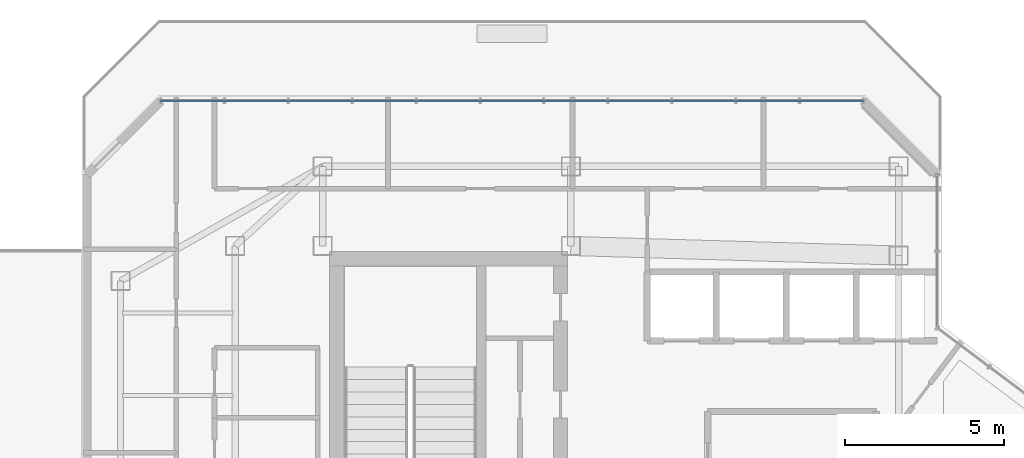
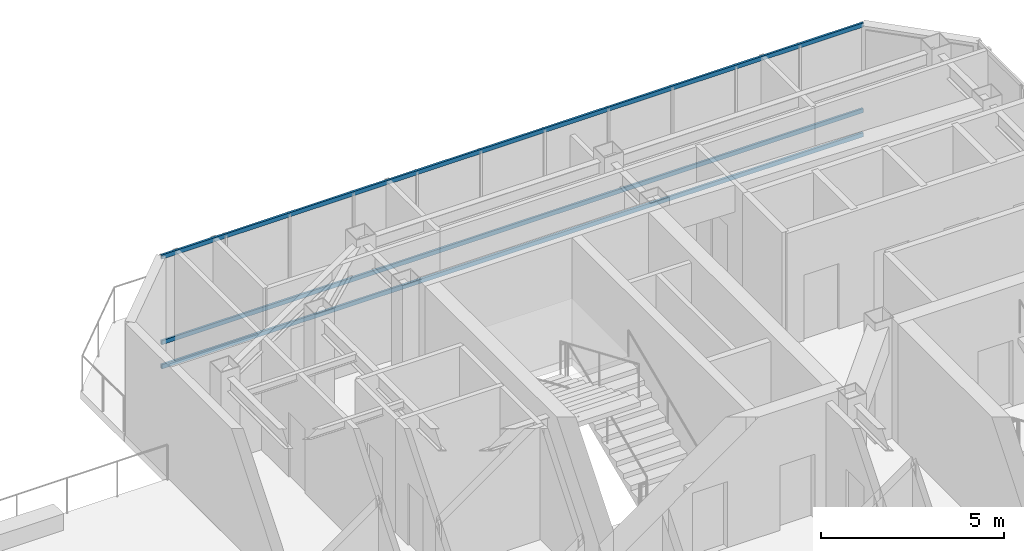
# One storey, part 12 of 21: 3 members, 1 element without a shape of its own.
"""IFC4 building model written with IfcOpenShell, lengths in metres."""

from ifc_helpers import new_model, si_unit, direction, frame, origin, origin_2d, place, context, subcontext, project, spatial, hollow_rectangle, extrude, material, layer, layer_set, material_profile, profile_set, type_object, element, aggregate, save


model = new_model("IFC4")

# Units and contexts
model_context = context("Model", 3, precision=1e-05, world=origin(), true_north=direction((0.0, 1.0)))
body_context = subcontext(model_context, "Body", "Model", "MODEL_VIEW")
ifc_project = project(units=[si_unit("LENGTHUNIT", "METRE"), si_unit("AREAUNIT", "SQUARE_METRE"), si_unit("VOLUMEUNIT", "CUBIC_METRE"), si_unit("PLANEANGLEUNIT", "RADIAN"), si_unit("MASSUNIT", "GRAM", prefix="KILO")], contexts=[model_context])

# Site, building, storey
site_placement = place(None, origin())
site = spatial("IfcSite", under=ifc_project, at=site_placement, CompositionType="ELEMENT")
building_placement = place(site_placement, origin())
building = spatial("IfcBuilding", under=site, at=building_placement, Name="Hatsunagi Terrace Concourse", CompositionType="ELEMENT")
storey_placement = place(building_placement, frame((0.0, 0.0, 265.949951171875)))
storey = spatial("IfcBuildingStorey", under=building, at=storey_placement, Name="L70", CompositionType="ELEMENT", Elevation=265.949951171875)

# Curtain wall, members
ifc_material_1 = material(Name="Anodised Aluminium Alloy 6063-T5", Category="aluminium")
ifc_layer = layer(ifc_material_1, 0.199951171875)
ifc_layer_set = layer_set([ifc_layer], Name="CrownWintergarden_CW06")
curtain_wall_type = type_object("IfcCurtainWallType", Name="CrownWintergarden_CW06", PredefinedType="NOTDEFINED", material=ifc_layer_set)
curtain_wall_placement = place(storey_placement, origin())
curtain_wall = element("IfcCurtainWall", 1, at=curtain_wall_placement, inside=storey, type_object=curtain_wall_type, Name="Unitised Curtain Wall CW-06 CW-L70-10", PredefinedType="NOTDEFINED")
ifc_material_2 = material(Name="Anodised Aluminium Alloy 6063-T5", Category="aluminium")
ifc_material_profile = material_profile(ifc_material_2, hollow_rectangle(XDim=0.06494140625, YDim=0.139892578125, WallThickness=0.00390625, at=origin_2d()), Name="ALU-TRN-140x65x4")
ifc_profile_set = profile_set([ifc_material_profile], Name="Anodised Aluminium Alloy 6063-T5")
member_type = type_object("IfcMemberType", Name="CurtainWallTransom_140x65", PredefinedType="USERDEFINED", material=ifc_profile_set)
member_1_placement = place(storey_placement, frame((20.4580078125, 47.860107421875, 0.050048828125), z_axis=(1.0, 0.0, 0.0), x_axis=(0.0, 1.0, 0.0)))
member_1 = element("IfcMember", 2, at=member_1_placement, type_object=member_type, Name="Curtain Wall Transom TRN-02", ObjectType="TRANSOM", PredefinedType="USERDEFINED", context=body_context, shape_type="SweptSolid", body=[
    extrude(hollow_rectangle(XDim=0.06494140625, YDim=0.139892578125, WallThickness=0.00390625, at=origin_2d()), origin(), (0.0, 0.0, 1.0), 22.083984375),
])
member_2_placement = place(storey_placement, frame((20.4580078125, 47.860107421875, 0.85009765625), z_axis=(1.0, 0.0, 0.0), x_axis=(0.0, 1.0, 0.0)))
member_2 = element("IfcMember", 3, at=member_2_placement, type_object=member_type, Name="Curtain Wall Transom TRN-02", ObjectType="TRANSOM", PredefinedType="USERDEFINED", context=body_context, shape_type="SweptSolid", body=[
    extrude(hollow_rectangle(XDim=0.06494140625, YDim=0.139892578125, WallThickness=0.00390625, at=origin_2d()), origin(), (0.0, 0.0, 1.0), 22.083984375),
])
member_3_placement = place(storey_placement, frame((20.4580078125, 47.860107421875, 3.699951171875), z_axis=(1.0, 0.0, 0.0), x_axis=(0.0, 1.0, 0.0)))
member_3 = element("IfcMember", 4, at=member_3_placement, type_object=member_type, Name="Curtain Wall Transom TRN-02", ObjectType="TRANSOM", PredefinedType="USERDEFINED", context=body_context, shape_type="SweptSolid", body=[
    extrude(hollow_rectangle(XDim=0.06494140625, YDim=0.139892578125, WallThickness=0.00390625, at=origin_2d()), origin(), (0.0, 0.0, 1.0), 22.083984375),
])
aggregate(curtain_wall, [member_1, member_2, member_3])

save(model, "model.ifc")
